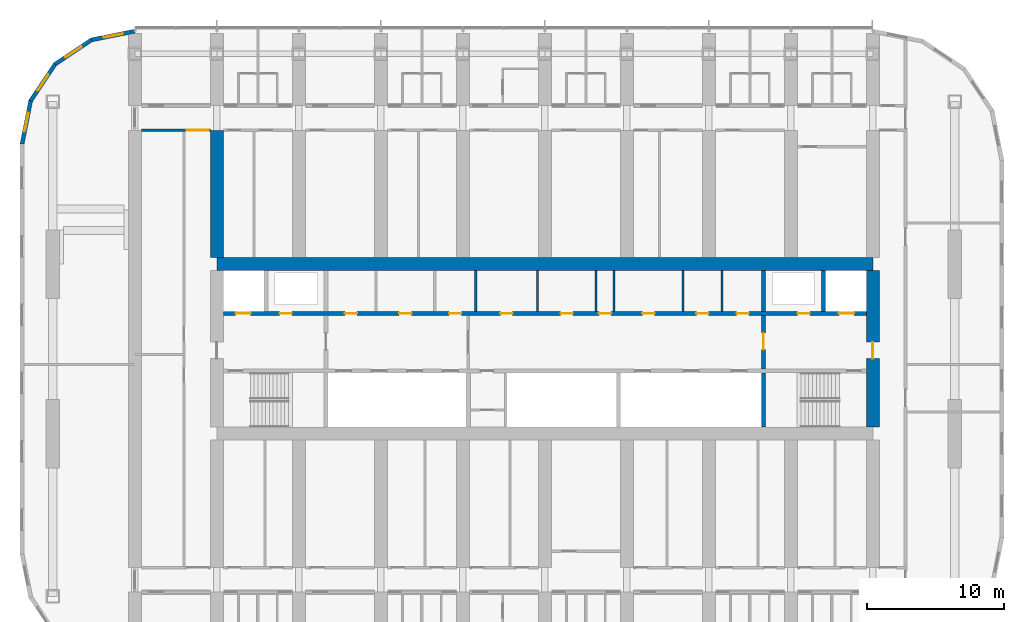
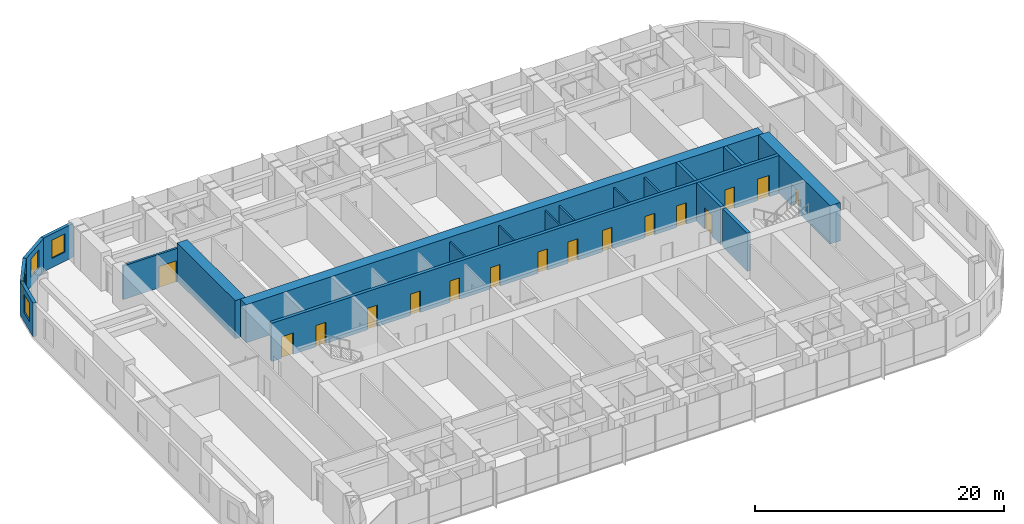
# One storey, part 12 of 21: 19 walls, 16 doors, 4 windows, 20 openings.
"""IFC4 building model written with IfcOpenShell, lengths in metres."""

from ifc_helpers import new_model, si_unit, direction, frame, frame_2d, origin, place, context, subcontext, project, spatial, polyline, rectangle, outline, extrude, material, layer, layer_set, type_object, element, fill, save


model = new_model("IFC4")

# Units and contexts
model_context = context("Model", 3, precision=1e-05, world=origin(), true_north=direction((0.0, 1.0)))
body_context = subcontext(model_context, "Body", "Model", "MODEL_VIEW")
ifc_project = project(units=[si_unit("LENGTHUNIT", "METRE"), si_unit("AREAUNIT", "SQUARE_METRE"), si_unit("VOLUMEUNIT", "CUBIC_METRE"), si_unit("PLANEANGLEUNIT", "RADIAN"), si_unit("MASSUNIT", "GRAM", prefix="KILO")], contexts=[model_context])

# Site, building, storey
site_placement = place(None, origin())
site = spatial("IfcSite", under=ifc_project, at=site_placement, CompositionType="ELEMENT")
building_placement = place(site_placement, origin())
building = spatial("IfcBuilding", under=site, at=building_placement, Name="Orbita Commons", CompositionType="ELEMENT")
storey_placement = place(building_placement, frame((0.0, 0.0, 95.64990234375)))
storey = spatial("IfcBuildingStorey", under=building, at=storey_placement, Name="L23", CompositionType="ELEMENT", Elevation=95.64990234375)

# Wall, openings, doors
ifc_material_1 = material(Name="Concrete C50/60", Category="concrete")
ifc_layer_1 = layer(ifc_material_1, 0.300048828125)
ifc_layer_set_1 = layer_set([ifc_layer_1], Name="Concrete C50/60")
wall_type_1 = type_object("IfcWallType", Name="Core inner wall 300 C50/60", PredefinedType="SHEAR", material=ifc_layer_set_1)
wall_1_placement = place(storey_placement, frame((18.47509765625, 34.60009765625, 0.0), z_axis=(0.0, 0.0, 1.0), x_axis=(1.0, 0.0, 0.0)))
wall_1 = element("IfcWall", 1, at=wall_1_placement, inside=storey, type_object=wall_type_1, Name="Lobby wall north L23", PredefinedType="SHEAR", context=body_context, shape_type="SweptSolid", body=[
    extrude(rectangle(XDim=47.0498046875, YDim=0.300048828125, at=frame_2d((23.52490234375, 0.0))), origin(), (0.0, 0.0, 1.0), 3.75),
])
opening_1_placement = place(wall_1_placement, frame((0.89990234375, 0.0, 0.0)))
opening_1 = element("IfcOpeningElement", 2, at=opening_1_placement, cuts=wall_1, Name="Opening LD01", PredefinedType="OPENING", context=body_context, shape_type="SweptSolid", body=[
    extrude(rectangle(XDim=1.10009765625, YDim=2.10009765625, at=frame_2d((0.550048828125, 1.050048828125))), frame((0.0, 0.159912109375, 0.0), z_axis=(0.0, -1.0, 0.0), x_axis=(1.0, 0.0, 0.0)), (0.0, 0.0, 1.0), 0.320068359375),
])
opening_2_placement = place(wall_1_placement, frame((45.050048828125, 0.0, 0.0)))
opening_2 = element("IfcOpeningElement", 3, at=opening_2_placement, cuts=wall_1, Name="Opening LD01", PredefinedType="OPENING", context=body_context, shape_type="SweptSolid", body=[
    extrude(rectangle(XDim=1.10009765625, YDim=2.10009765625, at=frame_2d((0.550048828125, 1.050048828125))), frame((0.0, 0.159912109375, 0.0), z_axis=(0.0, -1.0, 0.0), x_axis=(1.0, 0.0, 0.0)), (0.0, 0.0, 1.0), 0.320068359375),
])
opening_3_placement = place(wall_1_placement, frame((4.125, 0.0, 0.0)))
opening_3 = element("IfcOpeningElement", 4, at=opening_3_placement, cuts=wall_1, Name="Opening D03", PredefinedType="OPENING", context=body_context, shape_type="SweptSolid", body=[
    extrude(rectangle(XDim=0.89990234375, YDim=2.10009765625, at=frame_2d((0.449951171875, 1.050048828125))), frame((0.0, 0.159912109375, 0.0), z_axis=(0.0, -1.0, 0.0), x_axis=(1.0, 0.0, 0.0)), (0.0, 0.0, 1.0), 0.320068359375),
])
opening_4_placement = place(wall_1_placement, frame((42.02490234375, 0.0, 0.0)))
opening_4 = element("IfcOpeningElement", 5, at=opening_4_placement, cuts=wall_1, Name="Opening D03", PredefinedType="OPENING", context=body_context, shape_type="SweptSolid", body=[
    extrude(rectangle(XDim=0.89990234375, YDim=2.10009765625, at=frame_2d((0.449951171875, 1.050048828125))), frame((0.0, 0.159912109375, 0.0), z_axis=(0.0, -1.0, 0.0), x_axis=(1.0, 0.0, 0.0)), (0.0, 0.0, 1.0), 0.320068359375),
])
opening_5_placement = place(wall_1_placement, frame((8.900390625, 0.0, 0.0)))
opening_5 = element("IfcOpeningElement", 6, at=opening_5_placement, cuts=wall_1, Name="Opening D05", PredefinedType="OPENING", context=body_context, shape_type="SweptSolid", body=[
    extrude(rectangle(XDim=0.89990234375, YDim=2.10009765625, at=frame_2d((0.449951171875, 1.050048828125))), frame((0.0, 0.159912109375, 0.0), z_axis=(0.0, -1.0, 0.0), x_axis=(1.0, 0.0, 0.0)), (0.0, 0.0, 1.0), 0.320068359375),
])
opening_6_placement = place(wall_1_placement, frame((12.873779296875, 0.0, 0.0)))
opening_6 = element("IfcOpeningElement", 7, at=opening_6_placement, cuts=wall_1, Name="Opening D03", PredefinedType="OPENING", context=body_context, shape_type="SweptSolid", body=[
    extrude(rectangle(XDim=0.89990234375, YDim=2.10009765625, at=frame_2d((0.449951171875, 1.050048828125))), frame((0.0, 0.159912109375, 0.0), z_axis=(0.0, -1.0, 0.0), x_axis=(1.0, 0.0, 0.0)), (0.0, 0.0, 1.0), 0.320068359375),
])
opening_7_placement = place(wall_1_placement, frame((16.521240234375, 0.0, 0.0)))
opening_7 = element("IfcOpeningElement", 8, at=opening_7_placement, cuts=wall_1, Name="Opening D03", PredefinedType="OPENING", context=body_context, shape_type="SweptSolid", body=[
    extrude(rectangle(XDim=0.89990234375, YDim=2.10009765625, at=frame_2d((0.449951171875, 1.050048828125))), frame((0.0, 0.159912109375, 0.0), z_axis=(0.0, -1.0, 0.0), x_axis=(1.0, 0.0, 0.0)), (0.0, 0.0, 1.0), 0.320068359375),
])
opening_8_placement = place(wall_1_placement, frame((20.27978515625, 0.0, 0.0)))
opening_8 = element("IfcOpeningElement", 9, at=opening_8_placement, cuts=wall_1, Name="Opening D03", PredefinedType="OPENING", context=body_context, shape_type="SweptSolid", body=[
    extrude(rectangle(XDim=0.89990234375, YDim=2.10009765625, at=frame_2d((0.449951171875, 1.050048828125))), frame((0.0, 0.159912109375, 0.0), z_axis=(0.0, -1.0, 0.0), x_axis=(1.0, 0.0, 0.0)), (0.0, 0.0, 1.0), 0.320068359375),
])
opening_9_placement = place(wall_1_placement, frame((24.685791015625, 0.0, 0.0)))
opening_9 = element("IfcOpeningElement", 10, at=opening_9_placement, cuts=wall_1, Name="Opening D03", PredefinedType="OPENING", context=body_context, shape_type="SweptSolid", body=[
    extrude(rectangle(XDim=0.89990234375, YDim=2.10009765625, at=frame_2d((0.449951171875, 1.050048828125))), frame((0.0, 0.159912109375, 0.0), z_axis=(0.0, -1.0, 0.0), x_axis=(1.0, 0.0, 0.0)), (0.0, 0.0, 1.0), 0.320068359375),
])
opening_10_placement = place(wall_1_placement, frame((27.4833984375, 0.0, 0.0)))
opening_10 = element("IfcOpeningElement", 11, at=opening_10_placement, cuts=wall_1, Name="Opening D03", PredefinedType="OPENING", context=body_context, shape_type="SweptSolid", body=[
    extrude(rectangle(XDim=0.89990234375, YDim=2.10009765625, at=frame_2d((0.449951171875, 1.050048828125))), frame((0.0, 0.159912109375, 0.0), z_axis=(0.0, -1.0, 0.0), x_axis=(1.0, 0.0, 0.0)), (0.0, 0.0, 1.0), 0.320068359375),
])
opening_11_placement = place(wall_1_placement, frame((30.666259765625, 0.0, 0.0)))
opening_11 = element("IfcOpeningElement", 12, at=opening_11_placement, cuts=wall_1, Name="Opening D05", PredefinedType="OPENING", context=body_context, shape_type="SweptSolid", body=[
    extrude(rectangle(XDim=0.89990234375, YDim=2.10009765625, at=frame_2d((0.449951171875, 1.050048828125))), frame((0.0, 0.159912109375, 0.0), z_axis=(0.0, -1.0, 0.0), x_axis=(1.0, 0.0, 0.0)), (0.0, 0.0, 1.0), 0.320068359375),
])
opening_12_placement = place(wall_1_placement, frame((34.6171875, 0.0, 0.0)))
opening_12 = element("IfcOpeningElement", 13, at=opening_12_placement, cuts=wall_1, Name="Opening D03", PredefinedType="OPENING", context=body_context, shape_type="SweptSolid", body=[
    extrude(rectangle(XDim=0.89990234375, YDim=2.10009765625, at=frame_2d((0.449951171875, 1.050048828125))), frame((0.0, 0.159912109375, 0.0), z_axis=(0.0, -1.0, 0.0), x_axis=(1.0, 0.0, 0.0)), (0.0, 0.0, 1.0), 0.320068359375),
])
opening_13_placement = place(wall_1_placement, frame((37.555419921875, 0.0, 0.0)))
opening_13 = element("IfcOpeningElement", 14, at=opening_13_placement, cuts=wall_1, Name="Opening D03", PredefinedType="OPENING", context=body_context, shape_type="SweptSolid", body=[
    extrude(rectangle(XDim=0.89990234375, YDim=2.10009765625, at=frame_2d((0.449951171875, 1.050048828125))), frame((0.0, 0.159912109375, 0.0), z_axis=(0.0, -1.0, 0.0), x_axis=(1.0, 0.0, 0.0)), (0.0, 0.0, 1.0), 0.320068359375),
])
ifc_material_2 = material(Name="Steel-faced fire door leaf", Category="steel")
door_type_1 = type_object("IfcDoorType", Name="Firefighting lift landing door 1100x2100", OperationType="DOUBLE_DOOR_SLIDING", PredefinedType="DOOR", material=ifc_material_2)
door_1_placement = place(opening_1_placement, origin())
door_1 = element("IfcDoor", 15, at=door_1_placement, inside=storey, type_object=door_type_1, Name="Firefighting lift FL1 landing door", OperationType="DOUBLE_DOOR_SLIDING", OverallHeight=2.10009765625, OverallWidth=1.10009765625, PredefinedType="DOOR", context=body_context, shape_type="SweptSolid", body=[
    extrude(rectangle(XDim=1.10009765625, YDim=2.10009765625, at=frame_2d((0.550048828125, 1.050048828125))), frame((0.0, 0.02490234375, 0.0), z_axis=(0.0, -1.0, 0.0), x_axis=(1.0, 0.0, 0.0)), (0.0, 0.0, 1.0), 0.050048828125),
])
fill(opening_1, door_1)
door_2_placement = place(opening_2_placement, origin())
door_2 = element("IfcDoor", 16, at=door_2_placement, inside=storey, type_object=door_type_1, Name="Firefighting lift FL2 landing door", OperationType="DOUBLE_DOOR_SLIDING", OverallHeight=2.10009765625, OverallWidth=1.10009765625, PredefinedType="DOOR", context=body_context, shape_type="SweptSolid", body=[
    extrude(rectangle(XDim=1.10009765625, YDim=2.10009765625, at=frame_2d((0.550048828125, 1.050048828125))), frame((0.0, 0.02490234375, 0.0), z_axis=(0.0, -1.0, 0.0), x_axis=(1.0, 0.0, 0.0)), (0.0, 0.0, 1.0), 0.050048828125),
])
fill(opening_2, door_2)
ifc_material_3 = material(Name="Steel-faced fire door leaf", Category="steel")
door_type_2 = type_object("IfcDoorType", Name="Service door 20 min 900x2100", OperationType="SINGLE_SWING_LEFT", PredefinedType="DOOR", material=ifc_material_3)
door_3_placement = place(opening_5_placement, origin())
door_3 = element("IfcDoor", 17, at=door_3_placement, inside=storey, type_object=door_type_2, Name="Accessible WC door", OperationType="SINGLE_SWING_LEFT", OverallHeight=2.10009765625, OverallWidth=0.89990234375, PredefinedType="DOOR", context=body_context, shape_type="SweptSolid", body=[
    extrude(rectangle(XDim=0.89990234375, YDim=2.10009765625, at=frame_2d((0.449951171875, 1.050048828125))), frame((0.0, 0.02490234375, 0.0), z_axis=(0.0, -1.0, 0.0), x_axis=(1.0, 0.0, 0.0)), (0.0, 0.0, 1.0), 0.050048828125),
])
fill(opening_5, door_3)
door_4_placement = place(opening_11_placement, origin())
door_4 = element("IfcDoor", 18, at=door_4_placement, inside=storey, type_object=door_type_2, Name="Guest pantry door", OperationType="SINGLE_SWING_LEFT", OverallHeight=2.10009765625, OverallWidth=0.89990234375, PredefinedType="DOOR", context=body_context, shape_type="SweptSolid", body=[
    extrude(rectangle(XDim=0.89990234375, YDim=2.10009765625, at=frame_2d((0.449951171875, 1.050048828125))), frame((0.0, 0.02490234375, 0.0), z_axis=(0.0, -1.0, 0.0), x_axis=(1.0, 0.0, 0.0)), (0.0, 0.0, 1.0), 0.050048828125),
])
fill(opening_11, door_4)
ifc_material_4 = material(Name="Steel-faced fire door leaf", Category="steel")
door_type_3 = type_object("IfcDoorType", Name="Shaft access door 90 min 900x2100", OperationType="SINGLE_SWING_LEFT", PredefinedType="DOOR", material=ifc_material_4)
door_5_placement = place(opening_3_placement, origin())
door_5 = element("IfcDoor", 19, at=door_5_placement, inside=storey, type_object=door_type_3, Name="Riser door west", OperationType="SINGLE_SWING_LEFT", OverallHeight=2.10009765625, OverallWidth=0.89990234375, PredefinedType="DOOR", context=body_context, shape_type="SweptSolid", body=[
    extrude(rectangle(XDim=0.89990234375, YDim=2.10009765625, at=frame_2d((0.449951171875, 1.050048828125))), frame((0.0, 0.02490234375, 0.0), z_axis=(0.0, -1.0, 0.0), x_axis=(1.0, 0.0, 0.0)), (0.0, 0.0, 1.0), 0.050048828125),
])
fill(opening_3, door_5)
door_6_placement = place(opening_4_placement, origin())
door_6 = element("IfcDoor", 20, at=door_6_placement, inside=storey, type_object=door_type_3, Name="Riser door east", OperationType="SINGLE_SWING_LEFT", OverallHeight=2.10009765625, OverallWidth=0.89990234375, PredefinedType="DOOR", context=body_context, shape_type="SweptSolid", body=[
    extrude(rectangle(XDim=0.89990234375, YDim=2.10009765625, at=frame_2d((0.449951171875, 1.050048828125))), frame((0.0, 0.02490234375, 0.0), z_axis=(0.0, -1.0, 0.0), x_axis=(1.0, 0.0, 0.0)), (0.0, 0.0, 1.0), 0.050048828125),
])
fill(opening_4, door_6)
door_7_placement = place(opening_6_placement, origin())
door_7 = element("IfcDoor", 21, at=door_7_placement, inside=storey, type_object=door_type_3, Name="Refuse chute room door", OperationType="SINGLE_SWING_LEFT", OverallHeight=2.10009765625, OverallWidth=0.89990234375, PredefinedType="DOOR", context=body_context, shape_type="SweptSolid", body=[
    extrude(rectangle(XDim=0.89990234375, YDim=2.10009765625, at=frame_2d((0.449951171875, 1.050048828125))), frame((0.0, 0.02490234375, 0.0), z_axis=(0.0, -1.0, 0.0), x_axis=(1.0, 0.0, 0.0)), (0.0, 0.0, 1.0), 0.050048828125),
])
fill(opening_6, door_7)
door_8_placement = place(opening_7_placement, origin())
door_8 = element("IfcDoor", 22, at=door_8_placement, inside=storey, type_object=door_type_3, Name="Electrical riser room door", OperationType="SINGLE_SWING_LEFT", OverallHeight=2.10009765625, OverallWidth=0.89990234375, PredefinedType="DOOR", context=body_context, shape_type="SweptSolid", body=[
    extrude(rectangle(XDim=0.89990234375, YDim=2.10009765625, at=frame_2d((0.449951171875, 1.050048828125))), frame((0.0, 0.02490234375, 0.0), z_axis=(0.0, -1.0, 0.0), x_axis=(1.0, 0.0, 0.0)), (0.0, 0.0, 1.0), 0.050048828125),
])
fill(opening_7, door_8)
door_9_placement = place(opening_8_placement, origin())
door_9 = element("IfcDoor", 23, at=door_9_placement, inside=storey, type_object=door_type_3, Name="IT room door", OperationType="SINGLE_SWING_LEFT", OverallHeight=2.10009765625, OverallWidth=0.89990234375, PredefinedType="DOOR", context=body_context, shape_type="SweptSolid", body=[
    extrude(rectangle(XDim=0.89990234375, YDim=2.10009765625, at=frame_2d((0.449951171875, 1.050048828125))), frame((0.0, 0.02490234375, 0.0), z_axis=(0.0, -1.0, 0.0), x_axis=(1.0, 0.0, 0.0)), (0.0, 0.0, 1.0), 0.050048828125),
])
fill(opening_8, door_9)
door_10_placement = place(opening_9_placement, origin())
door_10 = element("IfcDoor", 24, at=door_10_placement, inside=storey, type_object=door_type_3, Name="Communications room door", OperationType="SINGLE_SWING_LEFT", OverallHeight=2.10009765625, OverallWidth=0.89990234375, PredefinedType="DOOR", context=body_context, shape_type="SweptSolid", body=[
    extrude(rectangle(XDim=0.89990234375, YDim=2.10009765625, at=frame_2d((0.449951171875, 1.050048828125))), frame((0.0, 0.02490234375, 0.0), z_axis=(0.0, -1.0, 0.0), x_axis=(1.0, 0.0, 0.0)), (0.0, 0.0, 1.0), 0.050048828125),
])
fill(opening_9, door_10)
door_11_placement = place(opening_10_placement, origin())
door_11 = element("IfcDoor", 25, at=door_11_placement, inside=storey, type_object=door_type_3, Name="Stair pressurisation duct door", OperationType="SINGLE_SWING_LEFT", OverallHeight=2.10009765625, OverallWidth=0.89990234375, PredefinedType="DOOR", context=body_context, shape_type="SweptSolid", body=[
    extrude(rectangle(XDim=0.89990234375, YDim=2.10009765625, at=frame_2d((0.449951171875, 1.050048828125))), frame((0.0, 0.02490234375, 0.0), z_axis=(0.0, -1.0, 0.0), x_axis=(1.0, 0.0, 0.0)), (0.0, 0.0, 1.0), 0.050048828125),
])
fill(opening_10, door_11)
door_12_placement = place(opening_12_placement, origin())
door_12 = element("IfcDoor", 26, at=door_12_placement, inside=storey, type_object=door_type_3, Name="Linen store door", OperationType="SINGLE_SWING_LEFT", OverallHeight=2.10009765625, OverallWidth=0.89990234375, PredefinedType="DOOR", context=body_context, shape_type="SweptSolid", body=[
    extrude(rectangle(XDim=0.89990234375, YDim=2.10009765625, at=frame_2d((0.449951171875, 1.050048828125))), frame((0.0, 0.02490234375, 0.0), z_axis=(0.0, -1.0, 0.0), x_axis=(1.0, 0.0, 0.0)), (0.0, 0.0, 1.0), 0.050048828125),
])
fill(opening_12, door_12)
door_13_placement = place(opening_13_placement, origin())
door_13 = element("IfcDoor", 27, at=door_13_placement, inside=storey, type_object=door_type_3, Name="Cleaners store door", OperationType="SINGLE_SWING_LEFT", OverallHeight=2.10009765625, OverallWidth=0.89990234375, PredefinedType="DOOR", context=body_context, shape_type="SweptSolid", body=[
    extrude(rectangle(XDim=0.89990234375, YDim=2.10009765625, at=frame_2d((0.449951171875, 1.050048828125))), frame((0.0, 0.02490234375, 0.0), z_axis=(0.0, -1.0, 0.0), x_axis=(1.0, 0.0, 0.0)), (0.0, 0.0, 1.0), 0.050048828125),
])
fill(opening_13, door_13)

# Wall
wall_2_placement = place(storey_placement, frame((58.0, 26.27490234375, 0.0), z_axis=(0.0, 0.0, 1.0), x_axis=(0.0, 1.0, 0.0)))
element("IfcWall", 28, at=wall_2_placement, inside=storey, type_object=wall_type_1, Name="Stair S2 wall L23", PredefinedType="SHEAR", context=body_context, shape_type="SweptSolid", body=[
    extrude(rectangle(XDim=3.97509765625, YDim=0.300048828125, at=frame_2d((1.987548828125, 0.0))), origin(), (0.0, 0.0, 1.0), 3.75),
])

# Wall, opening, door
wall_3_placement = place(storey_placement, frame((58.0, 30.550048828125, 0.0), z_axis=(0.0, 0.0, 1.0), x_axis=(0.0, 1.0, 0.0)))
wall_3 = element("IfcWall", 29, at=wall_3_placement, inside=storey, type_object=wall_type_1, Name="Firefighting lobby wall east L23", PredefinedType="SHEAR", context=body_context, shape_type="SweptSolid", body=[
    extrude(rectangle(XDim=3.89990234375, YDim=0.300048828125, at=frame_2d((1.949951171875, 0.0))), origin(), (0.0, 0.0, 1.0), 3.75),
])
opening_14_placement = place(wall_3_placement, frame((1.39990234375, 0.0, 0.0)))
opening_14 = element("IfcOpeningElement", 30, at=opening_14_placement, cuts=wall_3, Name="Opening D04", PredefinedType="OPENING", context=body_context, shape_type="SweptSolid", body=[
    extrude(rectangle(XDim=1.199951171875, YDim=2.10009765625, at=frame_2d((0.60009765625, 1.050048828125))), frame((0.0, 0.159912109375, 0.0), z_axis=(0.0, -1.0, 0.0), x_axis=(1.0, 0.0, 0.0)), (0.0, 0.0, 1.0), 0.320068359375),
])
ifc_material_5 = material(Name="Steel-faced fire door leaf", Category="steel")
door_type_4 = type_object("IfcDoorType", Name="Service door 20 min 1200x2100", OperationType="SINGLE_SWING_LEFT", PredefinedType="DOOR", material=ifc_material_5)
door_14_placement = place(opening_14_placement, origin())
door_14 = element("IfcDoor", 31, at=door_14_placement, inside=storey, type_object=door_type_4, Name="Lift lobby door east", OperationType="SINGLE_SWING_LEFT", OverallHeight=2.10009765625, OverallWidth=1.199951171875, PredefinedType="DOOR", context=body_context, shape_type="SweptSolid", body=[
    extrude(rectangle(XDim=1.199951171875, YDim=2.10009765625, at=frame_2d((0.60009765625, 1.050048828125))), frame((0.0, 0.02490234375, 0.0), z_axis=(0.0, -1.0, 0.0), x_axis=(1.0, 0.0, 0.0)), (0.0, 0.0, 1.0), 0.050048828125),
])
fill(opening_14, door_14)

# Walls
for number, where, z_axis, x_axis, name in (
    (32, (62.39990234375, 34.75, 0.0), (0.0, 0.0, 1.0), (0.0, 1.0, 0.0), "Firefighting lift FL2 shaft wall L23"),
    (33, (58.0, 34.75, 0.0), (0.0, 0.0, 1.0), (0.0, 1.0, 0.0), "Riser wall east L23"),
):
    element("IfcWall", number, at=place(storey_placement, frame(where, z_axis=z_axis, x_axis=x_axis)), inside=storey, type_object=wall_type_1, Name=name, PredefinedType="SHEAR", context=body_context, shape_type="SweptSolid", body=[
        extrude(rectangle(XDim=2.97509765625, YDim=0.300048828125, at=frame_2d((1.487548828125, 0.0))), origin(), (0.0, 0.0, 1.0), 3.75),
    ])
ifc_material_6 = material(Name="Concrete blockwork", Category="masonry")
ifc_layer_2 = layer(ifc_material_6, 0.14990234375)
ifc_layer_set_2 = layer_set([ifc_layer_2], Name="Concrete blockwork")
wall_type_2 = type_object("IfcWallType", Name="Core partition 150 blockwork", PredefinedType="SOLIDWALL", material=ifc_layer_set_2)
for number, where, z_axis, x_axis, name in (
    (34, (36.9462890625, 34.75, 0.0), (0.0, 0.0, 1.0), (0.0, 1.0, 0.0), "Core partition 150 blockwork L23"),
    (35, (41.463134765625, 34.75, 0.0), (0.0, 0.0, 1.0), (0.0, 1.0, 0.0), "Core partition 150 blockwork L23"),
    (36, (45.75830078125, 34.75, 0.0), (0.0, 0.0, 1.0), (0.0, 1.0, 0.0), "Core partition 150 blockwork L23"),
    (37, (47.058349609375, 34.75, 0.0), (0.0, 0.0, 1.0), (0.0, 1.0, 0.0), "Core partition 150 blockwork L23"),
    (38, (52.123779296875, 34.75, 0.0), (0.0, 0.0, 1.0), (0.0, 1.0, 0.0), "Core partition 150 blockwork L23"),
    (39, (54.960693359375, 34.75, 0.0), (0.0, 0.0, 1.0), (0.0, 1.0, 0.0), "Core partition 150 blockwork L23"),
):
    element("IfcWall", number, at=place(storey_placement, frame(where, z_axis=z_axis, x_axis=x_axis)), inside=storey, type_object=wall_type_2, Name=name, PredefinedType="SOLIDWALL", context=body_context, shape_type="SweptSolid", body=[
        extrude(rectangle(XDim=2.97509765625, YDim=0.14990234375, at=frame_2d((1.487548828125, 0.0))), origin(), (0.0, 0.0, 1.0), 3.300048828125),
    ])
ifc_material_7 = material(Name="Concrete C50/60", Category="concrete")
ifc_layer_3 = layer(ifc_material_7, 0.949951171875)
ifc_layer_set_3 = layer_set([ifc_layer_3], Name="Concrete C50/60")
wall_type_3 = type_object("IfcWallType", Name="Core wall 950 C50/60", PredefinedType="SHEAR", material=ifc_layer_set_3)
wall_4_placement = place(storey_placement, frame((18.0, 38.199951171875, 0.0), z_axis=(0.0, 0.0, 1.0), x_axis=(1.0, 0.0, 0.0)))
element("IfcWall", 40, at=wall_4_placement, inside=storey, type_object=wall_type_3, Name="Core spine wall north L23", PredefinedType="SHEAR", context=body_context, shape_type="SweptSolid", body=[
    extrude(rectangle(XDim=48.0, YDim=0.949951171875, at=frame_2d((24.0, 0.0))), origin(), (0.0, 0.0, 1.0), 3.75),
])

# Wall, opening, door
wall_5_placement = place(storey_placement, frame((66.0, 26.27490234375, 0.0), z_axis=(0.0, 0.0, 1.0), x_axis=(0.0, 1.0, 0.0)))
wall_5 = element("IfcWall", 41, at=wall_5_placement, inside=storey, type_object=wall_type_3, Name="Core end wall east L23", PredefinedType="SHEAR", context=body_context, shape_type="SweptSolid", body=[
    extrude(rectangle(XDim=11.4501953125, YDim=0.949951171875, at=frame_2d((5.72509765625, 0.0))), origin(), (0.0, 0.0, 1.0), 3.75),
])
opening_15_placement = place(wall_5_placement, frame((5.02490234375, 0.0, 0.0)))
opening_15 = element("IfcOpeningElement", 42, at=opening_15_placement, cuts=wall_5, Name="Opening D01", PredefinedType="OPENING", context=body_context, shape_type="SweptSolid", body=[
    extrude(rectangle(XDim=1.199951171875, YDim=2.10009765625, at=frame_2d((0.60009765625, 1.050048828125))), frame((0.0, 0.48486328125, 0.0), z_axis=(0.0, -1.0, 0.0), x_axis=(1.0, 0.0, 0.0)), (0.0, 0.0, 1.0), 0.969970703125),
])
ifc_material_8 = material(Name="Steel-faced fire door leaf", Category="steel")
door_type_5 = type_object("IfcDoorType", Name="Fire door 90 min 1200x2100", OperationType="SINGLE_SWING_LEFT", PredefinedType="DOOR", material=ifc_material_8)
door_15_placement = place(opening_15_placement, origin())
door_15 = element("IfcDoor", 43, at=door_15_placement, inside=storey, type_object=door_type_5, Name="Firefighting lobby east door", OperationType="SINGLE_SWING_LEFT", OverallHeight=2.10009765625, OverallWidth=1.199951171875, PredefinedType="DOOR", context=body_context, shape_type="SweptSolid", body=[
    extrude(rectangle(XDim=1.199951171875, YDim=2.10009765625, at=frame_2d((0.60009765625, 1.050048828125))), frame((0.0, 0.02490234375, 0.0), z_axis=(0.0, -1.0, 0.0), x_axis=(1.0, 0.0, 0.0)), (0.0, 0.0, 1.0), 0.050048828125),
])
fill(opening_15, door_15)

ifc_material_9 = material(Name="Hollow concrete block 200", Category="concrete")
ifc_layer_4 = layer(ifc_material_9, 0.199951171875)
ifc_layer_set_4 = layer_set([ifc_layer_4], Name="Hollow concrete block 200")
wall_type_4 = type_object("IfcWallType", Name="Corridor wall 200 hollow concrete block", PredefinedType="SOLIDWALL", material=ifc_layer_set_4)
wall_6_placement = place(storey_placement, frame((12.47509765625, 48.0, 0.0), z_axis=(0.0, 0.0, 1.0), x_axis=(1.0, 0.0, 0.0)))
wall_6 = element("IfcWall", 44, at=wall_6_placement, inside=storey, type_object=wall_type_4, Name="Corridor wall 200 hollow concrete block L23", PredefinedType="SOLIDWALL", context=body_context, shape_type="SweptSolid", body=[
    extrude(rectangle(XDim=5.0498046875, YDim=0.199951171875, at=frame_2d((2.52490234375, 0.0))), origin(), (0.0, 0.0, 1.0), 3.300048828125),
])
opening_16_placement = place(wall_6_placement, frame((3.324951171875, 0.0, 0.0)))
opening_16 = element("IfcOpeningElement", 45, at=opening_16_placement, cuts=wall_6, Name="Opening D10", PredefinedType="OPENING", context=body_context, shape_type="SweptSolid", body=[
    extrude(rectangle(XDim=1.60009765625, YDim=2.10009765625, at=frame_2d((0.800048828125, 1.050048828125))), frame((0.0, 0.10986328125, 0.0), z_axis=(0.0, -1.0, 0.0), x_axis=(1.0, 0.0, 0.0)), (0.0, 0.0, 1.0), 0.219970703125),
])
ifc_material_10 = material(Name="Steel-faced fire door leaf", Category="steel")
door_type_6 = type_object("IfcDoorType", Name="Double corridor door 20 min 1600x2100", OperationType="DOUBLE_DOOR_SINGLE_SWING", PredefinedType="DOOR", material=ifc_material_10)
door_16_placement = place(opening_16_placement, origin())
door_16 = element("IfcDoor", 46, at=door_16_placement, inside=storey, type_object=door_type_6, Name="Cross corridor doors", OperationType="DOUBLE_DOOR_SINGLE_SWING", OverallHeight=2.10009765625, OverallWidth=1.60009765625, PredefinedType="DOOR", context=body_context, shape_type="SweptSolid", body=[
    extrude(rectangle(XDim=1.60009765625, YDim=2.10009765625, at=frame_2d((0.800048828125, 1.050048828125))), frame((0.0, 0.02490234375, 0.0), z_axis=(0.0, -1.0, 0.0), x_axis=(1.0, 0.0, 0.0)), (0.0, 0.0, 1.0), 0.050048828125),
])
fill(opening_16, door_16)

# Wall
ifc_material_11 = material(Name="Concrete C50/60", Category="concrete")
ifc_layer_5 = layer(ifc_material_11, 0.949951171875)
ifc_layer_set_5 = layer_set([ifc_layer_5], Name="Concrete C50/60")
wall_type_5 = type_object("IfcWallType", Name="Cross wall 950 C50/60", PredefinedType="SHEAR", material=ifc_layer_set_5)
wall_7_placement = place(storey_placement, frame((18.0, 38.675048828125, 0.0), z_axis=(0.0, 0.0, 1.0), x_axis=(0.0, 1.0, 0.0)))
element("IfcWall", 47, at=wall_7_placement, inside=storey, type_object=wall_type_5, Name="Cross wall 4 north inner L23", PredefinedType="SHEAR", context=body_context, shape_type="SweptSolid", body=[
    extrude(rectangle(XDim=9.324951171875, YDim=0.949951171875, at=frame_2d((4.66259765625, 0.0))), origin(), (0.0, 0.0, 1.0), 3.75),
])

# Wall, opening, window
ifc_material_12 = material(Name="Precast concrete C40/50, white board-marked finish", Category="concrete")
ifc_layer_6 = layer(ifc_material_12, 0.300048828125)
ifc_layer_set_6 = layer_set([ifc_layer_6], Name="Precast concrete C40/50, white board-marked finish")
wall_type_6 = type_object("IfcWallType", Name="Precast concrete end shield 300", PredefinedType="SOLIDWALL", material=ifc_layer_set_6)
wall_8_placement = place(storey_placement, frame((12.0, 55.25, 0.0), z_axis=(0.0, 0.0, 1.0), x_axis=(-0.980787251524, -0.195080412259, 0.0)))
wall_8 = element("IfcWall", 48, at=wall_8_placement, inside=storey, type_object=wall_type_6, Name="End shield NW chord 1 L23", PredefinedType="SOLIDWALL", context=body_context, shape_type="SweptSolid", body=[
    extrude(outline(polyline([(-0.02978515625, -0.14990234375), (3.24853515625, -0.14990234375), (3.18896484375, 0.14990234375), (0.02978515625, 0.14990234375), (-0.02978515625, -0.14990234375)])), origin(), (0.0, 0.0, 1.0), 3.300048828125),
])
opening_17_placement = place(wall_8_placement, frame((0.909423828125, 0.0, 0.89990234375)))
opening_17 = element("IfcOpeningElement", 49, at=opening_17_placement, cuts=wall_8, Name="Opening W02", PredefinedType="OPENING", context=body_context, shape_type="SweptSolid", body=[
    extrude(rectangle(XDim=1.39990234375, YDim=1.800048828125, at=frame_2d((0.699951171875, 0.89990234375))), frame((0.0, 0.159912109375, 0.0), z_axis=(0.0, -1.0, 0.0), x_axis=(1.0, 0.0, 0.0)), (0.0, 0.0, 1.0), 0.320068359375),
])
ifc_material_13 = material(Name="Aluminium frame, clear double glazing", Category="aluminium")
window_type = type_object("IfcWindowType", Name="Deep-set window 1400x1800", PartitioningType="SINGLE_PANEL", PredefinedType="WINDOW", material=ifc_material_13)
window_1_placement = place(opening_17_placement, origin())
window_1 = element("IfcWindow", 50, at=window_1_placement, inside=storey, type_object=window_type, Name="Window L23-NW0", OverallHeight=1.800048828125, OverallWidth=1.39990234375, PartitioningType="SINGLE_PANEL", PredefinedType="WINDOW", context=body_context, shape_type="SweptSolid", body=[
    extrude(rectangle(XDim=1.39990234375, YDim=1.800048828125, at=frame_2d((0.699951171875, 0.89990234375))), frame((0.0, 0.030029296875, 0.0), z_axis=(0.0, -1.0, 0.0), x_axis=(1.0, 0.0, 0.0)), (0.0, 0.0, 1.0), 0.06005859375),
])
fill(opening_17, window_1)

wall_9_placement = place(storey_placement, frame((8.843017578125, 54.6220703125, 0.0), z_axis=(0.0, 0.0, 1.0), x_axis=(-0.831443069936, -0.555609954424, 0.0)))
wall_9 = element("IfcWall", 51, at=wall_9_placement, inside=storey, type_object=wall_type_6, Name="End shield NW chord 2 L23", PredefinedType="SOLIDWALL", context=body_context, shape_type="SweptSolid", body=[
    extrude(outline(polyline([(-0.02978515625, -0.14990234375), (3.2490234375, -0.14990234375), (3.189453125, 0.14990234375), (0.02978515625, 0.14990234375), (-0.02978515625, -0.14990234375)])), origin(), (0.0, 0.0, 1.0), 3.300048828125),
])
opening_18_placement = place(wall_9_placement, frame((0.909423828125, 0.0, 0.89990234375)))
opening_18 = element("IfcOpeningElement", 52, at=opening_18_placement, cuts=wall_9, Name="Opening W02", PredefinedType="OPENING", context=body_context, shape_type="SweptSolid", body=[
    extrude(rectangle(XDim=1.39990234375, YDim=1.800048828125, at=frame_2d((0.699951171875, 0.89990234375))), frame((0.0, 0.159912109375, 0.0), z_axis=(0.0, -1.0, 0.0), x_axis=(1.0, 0.0, 0.0)), (0.0, 0.0, 1.0), 0.320068359375),
])
window_2_placement = place(opening_18_placement, origin())
window_2 = element("IfcWindow", 53, at=window_2_placement, inside=storey, type_object=window_type, Name="Window L23-NW1", OverallHeight=1.800048828125, OverallWidth=1.39990234375, PartitioningType="SINGLE_PANEL", PredefinedType="WINDOW", context=body_context, shape_type="SweptSolid", body=[
    extrude(rectangle(XDim=1.39990234375, YDim=1.800048828125, at=frame_2d((0.699951171875, 0.89990234375))), frame((0.0, 0.030029296875, 0.0), z_axis=(0.0, -1.0, 0.0), x_axis=(1.0, 0.0, 0.0)), (0.0, 0.0, 1.0), 0.06005859375),
])
fill(opening_18, window_2)

wall_10_placement = place(storey_placement, frame((6.16650390625, 52.83349609375, 0.0), z_axis=(0.0, 0.0, 1.0), x_axis=(-0.555609954424, -0.831443069936, 0.0)))
wall_10 = element("IfcWall", 54, at=wall_10_placement, inside=storey, type_object=wall_type_6, Name="End shield NW chord 3 L23", PredefinedType="SOLIDWALL", context=body_context, shape_type="SweptSolid", body=[
    extrude(outline(polyline([(-0.02978515625, -0.14990234375), (3.2490234375, -0.14990234375), (3.189453125, 0.14990234375), (0.02978515625, 0.14990234375), (-0.02978515625, -0.14990234375)])), origin(), (0.0, 0.0, 1.0), 3.300048828125),
])
opening_19_placement = place(wall_10_placement, frame((0.909423828125, 0.0, 0.89990234375)))
opening_19 = element("IfcOpeningElement", 55, at=opening_19_placement, cuts=wall_10, Name="Opening W02", PredefinedType="OPENING", context=body_context, shape_type="SweptSolid", body=[
    extrude(rectangle(XDim=1.39990234375, YDim=1.800048828125, at=frame_2d((0.699951171875, 0.89990234375))), frame((0.0, 0.159912109375, 0.0), z_axis=(0.0, -1.0, 0.0), x_axis=(1.0, 0.0, 0.0)), (0.0, 0.0, 1.0), 0.320068359375),
])
window_3_placement = place(opening_19_placement, origin())
window_3 = element("IfcWindow", 56, at=window_3_placement, inside=storey, type_object=window_type, Name="Window L23-NW2", OverallHeight=1.800048828125, OverallWidth=1.39990234375, PartitioningType="SINGLE_PANEL", PredefinedType="WINDOW", context=body_context, shape_type="SweptSolid", body=[
    extrude(rectangle(XDim=1.39990234375, YDim=1.800048828125, at=frame_2d((0.699951171875, 0.89990234375))), frame((0.0, 0.030029296875, 0.0), z_axis=(0.0, -1.0, 0.0), x_axis=(1.0, 0.0, 0.0)), (0.0, 0.0, 1.0), 0.06005859375),
])
fill(opening_19, window_3)

wall_11_placement = place(storey_placement, frame((4.3779296875, 50.156982421875, 0.0), z_axis=(0.0, 0.0, 1.0), x_axis=(-0.195080412259, -0.980787251524, 0.0)))
wall_11 = element("IfcWall", 57, at=wall_11_placement, inside=storey, type_object=wall_type_6, Name="End shield NW chord 4 L23", PredefinedType="SOLIDWALL", context=body_context, shape_type="SweptSolid", body=[
    extrude(outline(polyline([(-0.02978515625, -0.14990234375), (3.233642578125, -0.14990234375), (3.203857421875, 0.14990234375), (0.02978515625, 0.14990234375), (-0.02978515625, -0.14990234375)])), origin(), (0.0, 0.0, 1.0), 3.300048828125),
])
opening_20_placement = place(wall_11_placement, frame((0.909423828125, 0.0, 0.89990234375)))
opening_20 = element("IfcOpeningElement", 58, at=opening_20_placement, cuts=wall_11, Name="Opening W02", PredefinedType="OPENING", context=body_context, shape_type="SweptSolid", body=[
    extrude(rectangle(XDim=1.39990234375, YDim=1.800048828125, at=frame_2d((0.699951171875, 0.89990234375))), frame((0.0, 0.159912109375, 0.0), z_axis=(0.0, -1.0, 0.0), x_axis=(1.0, 0.0, 0.0)), (0.0, 0.0, 1.0), 0.320068359375),
])
window_4_placement = place(opening_20_placement, origin())
window_4 = element("IfcWindow", 59, at=window_4_placement, inside=storey, type_object=window_type, Name="Window L23-NW3", OverallHeight=1.800048828125, OverallWidth=1.39990234375, PartitioningType="SINGLE_PANEL", PredefinedType="WINDOW", context=body_context, shape_type="SweptSolid", body=[
    extrude(rectangle(XDim=1.39990234375, YDim=1.800048828125, at=frame_2d((0.699951171875, 0.89990234375))), frame((0.0, 0.030029296875, 0.0), z_axis=(0.0, -1.0, 0.0), x_axis=(1.0, 0.0, 0.0)), (0.0, 0.0, 1.0), 0.06005859375),
])
fill(opening_20, window_4)

save(model, "model.ifc")
